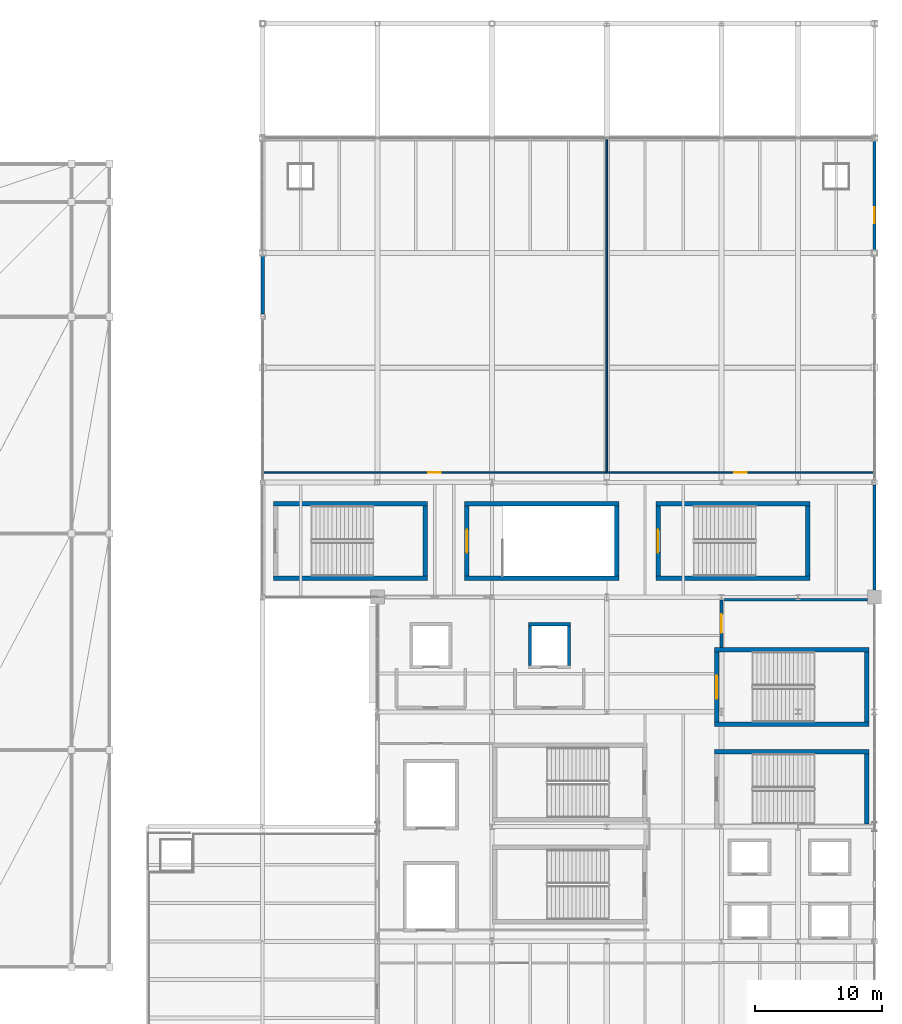
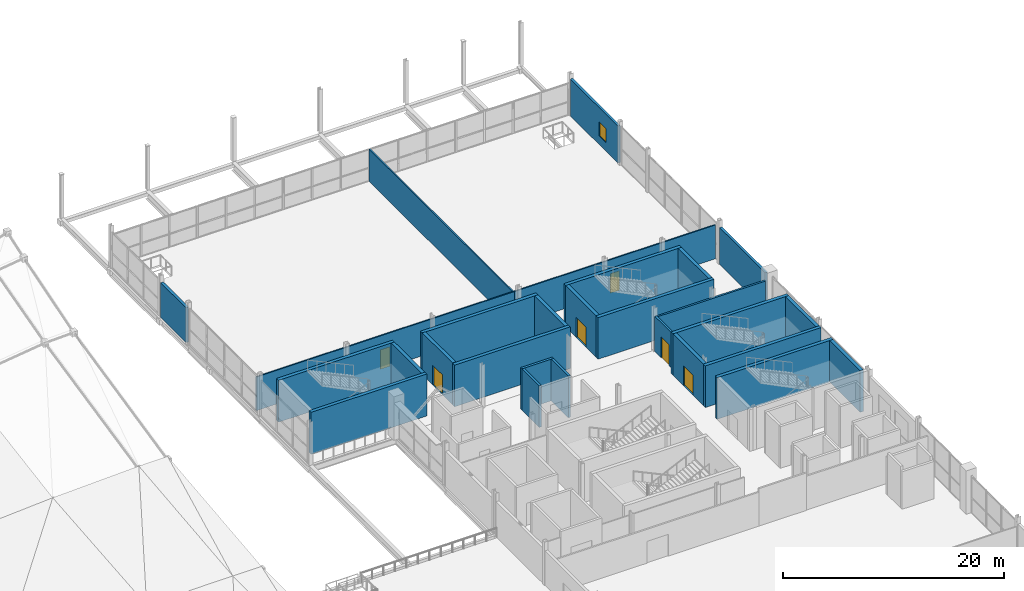
# One storey, part 53 of 69: 28 walls, 6 doors, 1 window, 7 openings.
"""IFC4 building model written with IfcOpenShell, lengths in metres."""

from ifc_helpers import new_model, si_unit, direction, frame, frame_2d, origin, place, context, subcontext, project, spatial, rectangle, extrude, material, layer, layer_set, type_object, element, fill, save


model = new_model("IFC4")

# Units and contexts
model_context = context("Model", 3, precision=1e-05, world=origin(), true_north=direction((0.0, 1.0)))
body_context = subcontext(model_context, "Body", "Model", "MODEL_VIEW")
ifc_project = project(units=[si_unit("LENGTHUNIT", "METRE"), si_unit("AREAUNIT", "SQUARE_METRE"), si_unit("VOLUMEUNIT", "CUBIC_METRE"), si_unit("PLANEANGLEUNIT", "RADIAN"), si_unit("MASSUNIT", "GRAM", prefix="KILO")], contexts=[model_context])

# Site, building, storey
site_placement = place(None, origin())
site = spatial("IfcSite", under=ifc_project, at=site_placement, CompositionType="ELEMENT")
building_placement = place(site_placement, origin())
building = spatial("IfcBuilding", under=site, at=building_placement, Name="Qamarlyn Nura Convention Centre", CompositionType="ELEMENT")
storey_placement = place(building_placement, frame((0.0, 0.0, 15.60009765625)))
storey = spatial("IfcBuildingStorey", under=building, at=storey_placement, Name="L03", CompositionType="ELEMENT", Elevation=15.60009765625)

# Walls
ifc_material_1 = material(Name="Concrete C50/60", Category="concrete")
ifc_layer_1 = layer(ifc_material_1, 0.35009765625, Name="WT-CORE-350")
ifc_layer_set_1 = layer_set([ifc_layer_1], Name="Concrete C50/60")
wall_type_1 = type_object("IfcWallType", Name="WT-CORE-350", PredefinedType="SHEAR", material=ifc_layer_set_1)
wall_1_placement = place(storey_placement, frame((191.550048828125, 68.875, 0.0), z_axis=(0.0, 0.0, 1.0), x_axis=(-1.0, 0.0, 0.0)))
element("IfcWall", 1, at=wall_1_placement, inside=storey, type_object=wall_type_1, Name="L03 stair core shear wall ST-13-N", PredefinedType="SHEAR", context=body_context, shape_type="SweptSolid", body=[
    extrude(rectangle(XDim=12.10009765625, YDim=0.35009765625, at=frame_2d((6.050048828125, 0.0))), origin(), (0.0, 0.0, 1.0), 4.599853515625),
])
wall_2_placement = place(storey_placement, frame((191.375, 63.199951171875, 0.0), z_axis=(0.0, 0.0, 1.0), x_axis=(0.0, 1.0, 0.0)))
element("IfcWall", 2, at=wall_2_placement, inside=storey, type_object=wall_type_1, Name="L03 stair core shear wall ST-13-E", PredefinedType="SHEAR", context=body_context, shape_type="SweptSolid", body=[
    extrude(rectangle(XDim=5.5, YDim=0.35009765625, at=frame_2d((2.75, 0.0))), origin(), (0.0, 0.0, 1.0), 4.599853515625),
])
for number, where, z_axis, x_axis, name in (
    (3, (179.449951171875, 71.02490234375, 0.0), (0.0, 0.0, 1.0), (1.0, 0.0, 0.0), "L03 stair core shear wall ST-14-S"),
    (4, (191.550048828125, 76.875, 0.0), (0.0, 0.0, 1.0), (-1.0, 0.0, 0.0), "L03 stair core shear wall ST-14-N"),
):
    element("IfcWall", number, at=place(storey_placement, frame(where, z_axis=z_axis, x_axis=x_axis)), inside=storey, type_object=wall_type_1, Name=name, PredefinedType="SHEAR", context=body_context, shape_type="SweptSolid", body=[
        extrude(rectangle(XDim=12.10009765625, YDim=0.35009765625, at=frame_2d((6.050048828125, 0.0))), origin(), (0.0, 0.0, 1.0), 4.599853515625),
    ])

# Wall, opening, door
wall_3_placement = place(storey_placement, frame((179.625, 76.699951171875, 0.0), z_axis=(0.0, 0.0, 1.0), x_axis=(0.0, -1.0, 0.0)))
wall_3 = element("IfcWall", 5, at=wall_3_placement, inside=storey, type_object=wall_type_1, Name="L03 stair core shear wall ST-14-W", PredefinedType="SHEAR", context=body_context, shape_type="SweptSolid", body=[
    extrude(rectangle(XDim=5.5, YDim=0.35009765625, at=frame_2d((2.75, 0.0))), origin(), (0.0, 0.0, 1.0), 4.599853515625),
])
opening_1_placement = place(wall_3_placement, frame((1.85009765625, 0.0, 0.0)))
opening_1 = element("IfcOpeningElement", 6, at=opening_1_placement, cuts=wall_3, Name="Opening DS-068", PredefinedType="OPENING", context=body_context, shape_type="SweptSolid", body=[
    extrude(rectangle(XDim=1.800048828125, YDim=2.199951171875, at=frame_2d((0.89990234375, 1.10009765625))), frame((0.0, 0.18505859375, 0.0), z_axis=(0.0, -1.0, 0.0), x_axis=(1.0, 0.0, 0.0)), (0.0, 0.0, 1.0), 0.3701171875),
])
ifc_material_2 = material(Name="Galvanised fire-rated hollow steel door", Category="steel")
door_type_1 = type_object("IfcDoorType", Name="DR-STAIR-1800", OperationType="DOUBLE_DOOR_SINGLE_SWING", PredefinedType="DOOR", material=ifc_material_2)
door_1_placement = place(opening_1_placement, origin())
door_1 = element("IfcDoor", 7, at=door_1_placement, inside=storey, type_object=door_type_1, Name="L03 exit stair door ST-14 (DS-068)", OperationType="DOUBLE_DOOR_SINGLE_SWING", OverallHeight=2.199951171875, OverallWidth=1.800048828125, PredefinedType="DOOR", context=body_context, shape_type="SweptSolid", body=[
    extrude(rectangle(XDim=1.800048828125, YDim=2.199951171875, at=frame_2d((0.89990234375, 1.10009765625))), frame((0.0, 0.02490234375, 0.0), z_axis=(0.0, -1.0, 0.0), x_axis=(1.0, 0.0, 0.0)), (0.0, 0.0, 1.0), 0.050048828125),
])
fill(opening_1, door_1)

# Walls
wall_4_placement = place(storey_placement, frame((191.375, 71.199951171875, 0.0), z_axis=(0.0, 0.0, 1.0), x_axis=(0.0, 1.0, 0.0)))
element("IfcWall", 8, at=wall_4_placement, inside=storey, type_object=wall_type_1, Name="L03 stair core shear wall ST-14-E", PredefinedType="SHEAR", context=body_context, shape_type="SweptSolid", body=[
    extrude(rectangle(XDim=5.5, YDim=0.35009765625, at=frame_2d((2.75, 0.0))), origin(), (0.0, 0.0, 1.0), 4.599853515625),
])
for number, where, z_axis, x_axis, name in (
    (9, (144.85009765625, 82.47509765625, 0.0), (0.0, 0.0, 1.0), (1.0, 0.0, 0.0), "L03 stair core shear wall ST-15-S"),
    (10, (156.949951171875, 88.324951171875, 0.0), (0.0, 0.0, 1.0), (-1.0, 0.0, 0.0), "L03 stair core shear wall ST-15-N"),
):
    element("IfcWall", number, at=place(storey_placement, frame(where, z_axis=z_axis, x_axis=x_axis)), inside=storey, type_object=wall_type_1, Name=name, PredefinedType="SHEAR", context=body_context, shape_type="SweptSolid", body=[
        extrude(rectangle(XDim=12.099853515625, YDim=0.35009765625, at=frame_2d((6.0498046875, 0.0))), origin(), (0.0, 0.0, 1.0), 4.635009765625),
    ])
wall_5_placement = place(storey_placement, frame((156.77490234375, 82.64990234375, 0.0), z_axis=(0.0, 0.0, 1.0), x_axis=(0.0, 1.0, 0.0)))
element("IfcWall", 11, at=wall_5_placement, inside=storey, type_object=wall_type_1, Name="L03 stair core shear wall ST-15-E", PredefinedType="SHEAR", context=body_context, shape_type="SweptSolid", body=[
    extrude(rectangle(XDim=5.5, YDim=0.35009765625, at=frame_2d((2.75, 0.0))), origin(), (0.0, 0.0, 1.0), 4.635009765625),
])
for number, where, z_axis, x_axis, name in (
    (12, (159.85009765625, 82.47509765625, 0.0), (0.0, 0.0, 1.0), (1.0, 0.0, 0.0), "L03 stair core shear wall ST-16-S"),
    (13, (171.949951171875, 88.324951171875, 0.0), (0.0, 0.0, 1.0), (-1.0, 0.0, 0.0), "L03 stair core shear wall ST-16-N"),
):
    element("IfcWall", number, at=place(storey_placement, frame(where, z_axis=z_axis, x_axis=x_axis)), inside=storey, type_object=wall_type_1, Name=name, PredefinedType="SHEAR", context=body_context, shape_type="SweptSolid", body=[
        extrude(rectangle(XDim=12.099853515625, YDim=0.35009765625, at=frame_2d((6.0498046875, 0.0))), origin(), (0.0, 0.0, 1.0), 4.599853515625),
    ])

# Wall, opening, door
wall_6_placement = place(storey_placement, frame((160.02490234375, 88.14990234375, 0.0), z_axis=(0.0, 0.0, 1.0), x_axis=(0.0, -1.0, 0.0)))
wall_6 = element("IfcWall", 14, at=wall_6_placement, inside=storey, type_object=wall_type_1, Name="L03 stair core shear wall ST-16-W", PredefinedType="SHEAR", context=body_context, shape_type="SweptSolid", body=[
    extrude(rectangle(XDim=5.5, YDim=0.35009765625, at=frame_2d((2.75, 0.0))), origin(), (0.0, 0.0, 1.0), 4.635009765625),
])
opening_2_placement = place(wall_6_placement, frame((1.85009765625, 0.0, 0.0)))
opening_2 = element("IfcOpeningElement", 15, at=opening_2_placement, cuts=wall_6, Name="Opening DS-081", PredefinedType="OPENING", context=body_context, shape_type="SweptSolid", body=[
    extrude(rectangle(XDim=1.800048828125, YDim=2.199951171875, at=frame_2d((0.89990234375, 1.10009765625))), frame((0.0, 0.18505859375, 0.0), z_axis=(0.0, -1.0, 0.0), x_axis=(1.0, 0.0, 0.0)), (0.0, 0.0, 1.0), 0.3701171875),
])
door_2_placement = place(opening_2_placement, origin())
door_2 = element("IfcDoor", 16, at=door_2_placement, inside=storey, type_object=door_type_1, Name="L03 exit stair door ST-16 (DS-081)", OperationType="DOUBLE_DOOR_SINGLE_SWING", OverallHeight=2.199951171875, OverallWidth=1.800048828125, PredefinedType="DOOR", context=body_context, shape_type="SweptSolid", body=[
    extrude(rectangle(XDim=1.800048828125, YDim=2.199951171875, at=frame_2d((0.89990234375, 1.10009765625))), frame((0.0, 0.02490234375, 0.0), z_axis=(0.0, -1.0, 0.0), x_axis=(1.0, 0.0, 0.0)), (0.0, 0.0, 1.0), 0.050048828125),
])
fill(opening_2, door_2)

# Walls
wall_7_placement = place(storey_placement, frame((171.77490234375, 82.64990234375, 0.0), z_axis=(0.0, 0.0, 1.0), x_axis=(0.0, 1.0, 0.0)))
element("IfcWall", 17, at=wall_7_placement, inside=storey, type_object=wall_type_1, Name="L03 stair core shear wall ST-16-E", PredefinedType="SHEAR", context=body_context, shape_type="SweptSolid", body=[
    extrude(rectangle(XDim=5.5, YDim=0.35009765625, at=frame_2d((2.75, 0.0))), origin(), (0.0, 0.0, 1.0), 4.599853515625),
])
for number, where, z_axis, x_axis, name in (
    (18, (174.85009765625, 82.47509765625, 0.0), (0.0, 0.0, 1.0), (1.0, 0.0, 0.0), "L03 stair core shear wall ST-17-S"),
    (19, (186.949951171875, 88.324951171875, 0.0), (0.0, 0.0, 1.0), (-1.0, 0.0, 0.0), "L03 stair core shear wall ST-17-N"),
):
    element("IfcWall", number, at=place(storey_placement, frame(where, z_axis=z_axis, x_axis=x_axis)), inside=storey, type_object=wall_type_1, Name=name, PredefinedType="SHEAR", context=body_context, shape_type="SweptSolid", body=[
        extrude(rectangle(XDim=12.099853515625, YDim=0.35009765625, at=frame_2d((6.0498046875, 0.0))), origin(), (0.0, 0.0, 1.0), 4.599853515625),
    ])

# Wall, opening, door
wall_8_placement = place(storey_placement, frame((175.02490234375, 88.14990234375, 0.0), z_axis=(0.0, 0.0, 1.0), x_axis=(0.0, -1.0, 0.0)))
wall_8 = element("IfcWall", 20, at=wall_8_placement, inside=storey, type_object=wall_type_1, Name="L03 stair core shear wall ST-17-W", PredefinedType="SHEAR", context=body_context, shape_type="SweptSolid", body=[
    extrude(rectangle(XDim=5.5, YDim=0.35009765625, at=frame_2d((2.75, 0.0))), origin(), (0.0, 0.0, 1.0), 4.599853515625),
])
opening_3_placement = place(wall_8_placement, frame((1.85009765625, 0.0, 0.0)))
opening_3 = element("IfcOpeningElement", 21, at=opening_3_placement, cuts=wall_8, Name="Opening DS-086", PredefinedType="OPENING", context=body_context, shape_type="SweptSolid", body=[
    extrude(rectangle(XDim=1.800048828125, YDim=2.199951171875, at=frame_2d((0.89990234375, 1.10009765625))), frame((0.0, 0.18505859375, 0.0), z_axis=(0.0, -1.0, 0.0), x_axis=(1.0, 0.0, 0.0)), (0.0, 0.0, 1.0), 0.3701171875),
])
door_3_placement = place(opening_3_placement, origin())
door_3 = element("IfcDoor", 22, at=door_3_placement, inside=storey, type_object=door_type_1, Name="L03 exit stair door ST-17 (DS-086)", OperationType="DOUBLE_DOOR_SINGLE_SWING", OverallHeight=2.199951171875, OverallWidth=1.800048828125, PredefinedType="DOOR", context=body_context, shape_type="SweptSolid", body=[
    extrude(rectangle(XDim=1.800048828125, YDim=2.199951171875, at=frame_2d((0.89990234375, 1.10009765625))), frame((0.0, 0.02490234375, 0.0), z_axis=(0.0, -1.0, 0.0), x_axis=(1.0, 0.0, 0.0)), (0.0, 0.0, 1.0), 0.050048828125),
])
fill(opening_3, door_3)

# Walls
wall_9_placement = place(storey_placement, frame((186.77490234375, 82.64990234375, 0.0), z_axis=(0.0, 0.0, 1.0), x_axis=(0.0, 1.0, 0.0)))
element("IfcWall", 23, at=wall_9_placement, inside=storey, type_object=wall_type_1, Name="L03 stair core shear wall ST-17-E", PredefinedType="SHEAR", context=body_context, shape_type="SweptSolid", body=[
    extrude(rectangle(XDim=5.5, YDim=0.35009765625, at=frame_2d((2.75, 0.0))), origin(), (0.0, 0.0, 1.0), 4.599853515625),
])
ifc_material_3 = material(Name="Concrete C40/50", Category="concrete")
ifc_layer_2 = layer(ifc_material_3, 0.260009765625, Name="WT-EXT-260")
ifc_layer_set_2 = layer_set([ifc_layer_2], Name="Concrete C40/50")
wall_type_2 = type_object("IfcWallType", Name="WT-EXT-260", PredefinedType="SOLIDWALL", material=ifc_layer_set_2)
wall_10_placement = place(storey_placement, frame((192.0, 89.800048828125, 0.0), z_axis=(0.0, 0.0, 1.0), x_axis=(0.0, -1.0, 0.0)))
element("IfcWall", 24, at=wall_10_placement, inside=storey, type_object=wall_type_2, Name="L03 exterior facade wall WEXT-L03-1920-898-1920-816", PredefinedType="SOLIDWALL", context=body_context, shape_type="SweptSolid", body=[
    extrude(rectangle(XDim=8.25, YDim=0.260009765625, at=frame_2d((4.125, 0.0))), origin(), (0.0, 0.0, 1.0), 4.0458984375),
])

# Wall, opening, window
wall_11_placement = place(storey_placement, frame((192.0, 116.803466796875, 0.0), z_axis=(0.0, 0.0, 1.0), x_axis=(0.0, -1.0, 0.0)))
wall_11 = element("IfcWall", 25, at=wall_11_placement, inside=storey, type_object=wall_type_2, Name="L03 exterior facade wall WEXT-L03-1920-1168-1920-1082", PredefinedType="SOLIDWALL", context=body_context, shape_type="SweptSolid", body=[
    extrude(rectangle(XDim=8.603515625, YDim=0.260009765625, at=frame_2d((4.3017578125, 0.0))), origin(), (0.0, 0.0, 1.0), 4.0859375),
])
opening_4_placement = place(wall_11_placement, frame((5.2275390625, 0.0, 0.949951171875)))
opening_4 = element("IfcOpeningElement", 26, at=opening_4_placement, cuts=wall_11, Name="Opening WN23", PredefinedType="OPENING", context=body_context, shape_type="SweptSolid", body=[
    extrude(rectangle(XDim=1.25, YDim=1.550048828125, at=frame_2d((0.625, 0.77490234375))), frame((0.0, 0.14013671875, 0.0), z_axis=(0.0, -1.0, 0.0), x_axis=(1.0, 0.0, 0.0)), (0.0, 0.0, 1.0), 0.280029296875),
])
ifc_material_4 = material(Name="Double-silver low-E insulated glass", Category="glass")
window_type = type_object("IfcWindowType", Name="WIN-SOL-23", PartitioningType="SINGLE_PANEL", PredefinedType="WINDOW", material=ifc_material_4)
window_placement = place(opening_4_placement, origin())
window = element("IfcWindow", 27, at=window_placement, inside=storey, type_object=window_type, Name="L03 solar-control window 047", OverallHeight=1.550048828125, OverallWidth=1.25, PartitioningType="SINGLE_PANEL", PredefinedType="WINDOW", context=body_context, shape_type="SweptSolid", body=[
    extrude(rectangle(XDim=1.25, YDim=1.550048828125, at=frame_2d((0.625, 0.77490234375))), frame((0.0, 0.030029296875, 0.0), z_axis=(0.0, -1.0, 0.0), x_axis=(1.0, 0.0, 0.0)), (0.0, 0.0, 1.0), 0.06005859375),
])
fill(opening_4, window)

# Wall
ifc_layer_3 = layer(ifc_material_3, 0.280029296875, Name="WT-EXT-280")
ifc_layer_set_3 = layer_set([ifc_layer_3], Name="Concrete C40/50")
wall_type_3 = type_object("IfcWallType", Name="WT-EXT-280", PredefinedType="SOLIDWALL", material=ifc_layer_set_3)
wall_12_placement = place(storey_placement, frame((144.0, 103.199951171875, 0.0), z_axis=(0.0, 0.0, 1.0), x_axis=(0.0, 1.0, 0.0)))
element("IfcWall", 28, at=wall_12_placement, inside=storey, type_object=wall_type_3, Name="L03 exterior facade wall WEXT-L03-1440-1032-1440-1078", PredefinedType="SOLIDWALL", context=body_context, shape_type="SweptSolid", body=[
    extrude(rectangle(XDim=4.603515625, YDim=0.280029296875, at=frame_2d((2.3017578125, 0.0))), origin(), (0.0, 0.0, 1.0), 3.851806640625),
])

# Wall, opening, door
ifc_material_5 = material(Name="Acoustic double-stud gypsum partition")
ifc_layer_4 = layer(ifc_material_5, 0.135009765625, Name="WT-PART-135")
ifc_layer_set_4 = layer_set([ifc_layer_4], Name="Acoustic double-stud gypsum partition")
wall_type_4 = type_object("IfcWallType", Name="WT-PART-135", PredefinedType="PARTITIONING", material=ifc_layer_set_4)
wall_13_placement = place(storey_placement, frame((191.988037109375, 90.7900390625, 0.0), z_axis=(0.0, 0.0, 1.0), x_axis=(-1.0, 0.0, 0.0)))
wall_13 = element("IfcWall", 29, at=wall_13_placement, inside=storey, type_object=wall_type_4, Name="L03 interior partition L03-CNF-N304-3-1", PredefinedType="PARTITIONING", context=body_context, shape_type="SweptSolid", body=[
    extrude(rectangle(XDim=20.988037109375, YDim=0.135009765625, at=frame_2d((10.494140625, 0.0))), origin(), (0.0, 0.0, 1.0), 3.72998046875),
])
opening_5_placement = place(wall_13_placement, frame((10.013916015625, 0.0, 0.0)))
opening_5 = element("IfcOpeningElement", 30, at=opening_5_placement, cuts=wall_13, Name="Opening D-L03-201", PredefinedType="OPENING", context=body_context, shape_type="SweptSolid", body=[
    extrude(rectangle(XDim=0.9599609375, YDim=2.14990234375, at=frame_2d((0.47998046875, 1.074951171875))), frame((0.0, 0.07763671875, 0.0), z_axis=(0.0, -1.0, 0.0), x_axis=(1.0, 0.0, 0.0)), (0.0, 0.0, 1.0), 0.155029296875),
])
ifc_material_6 = material(Name="Acoustic walnut timber leaf", Category="wood")
door_type_2 = type_object("IfcDoorType", Name="DR-ROOM-0960", OperationType="NOTDEFINED", PredefinedType="DOOR", material=ifc_material_6)
door_4_placement = place(opening_5_placement, origin())
door_4 = element("IfcDoor", 31, at=door_4_placement, inside=storey, type_object=door_type_2, Name="L03 North Congress Meeting Suite 304 door D-L03-201", OperationType="SINGLE_SWING_RIGHT", OverallHeight=2.14990234375, OverallWidth=0.9599609375, PredefinedType="DOOR", context=body_context, shape_type="SweptSolid", body=[
    extrude(rectangle(XDim=0.9599609375, YDim=2.14990234375, at=frame_2d((0.47998046875, 1.074951171875))), frame((0.0, 0.02490234375, 0.0), z_axis=(0.0, -1.0, 0.0), x_axis=(1.0, 0.0, 0.0)), (0.0, 0.0, 1.0), 0.050048828125),
])
fill(opening_5, door_4)

# Wall
wall_14_placement = place(storey_placement, frame((171.0, 90.7900390625, 0.0), z_axis=(0.0, 0.0, 1.0), x_axis=(0.0, 1.0, 0.0)))
element("IfcWall", 32, at=wall_14_placement, inside=storey, type_object=wall_type_4, Name="L03 interior partition L03-CNF-N304-4-1", PredefinedType="PARTITIONING", context=body_context, shape_type="SweptSolid", body=[
    extrude(rectangle(XDim=26.197998046875, YDim=0.135009765625, at=frame_2d((13.09912109375, 0.0))), origin(), (0.0, 0.0, 1.0), 3.5634765625),
])

# Wall, opening, door
wall_15_placement = place(storey_placement, frame((170.9599609375, 90.7900390625, 0.0), z_axis=(0.0, 0.0, 1.0), x_axis=(-1.0, 0.0, 0.0)))
wall_15 = element("IfcWall", 33, at=wall_15_placement, inside=storey, type_object=wall_type_4, Name="L03 interior partition L03-OFF-ORG1-3-1", PredefinedType="PARTITIONING", context=body_context, shape_type="SweptSolid", body=[
    extrude(rectangle(XDim=26.947998046875, YDim=0.135009765625, at=frame_2d((13.47412109375, 0.0))), origin(), (0.0, 0.0, 1.0), 3.72998046875),
])
opening_6_placement = place(wall_15_placement, frame((12.98388671875, 0.0, 0.0)))
opening_6 = element("IfcOpeningElement", 34, at=opening_6_placement, cuts=wall_15, Name="Opening D-L03-203", PredefinedType="OPENING", context=body_context, shape_type="SweptSolid", body=[
    extrude(rectangle(XDim=0.97998046875, YDim=2.14990234375, at=frame_2d((0.489990234375, 1.074951171875))), frame((0.0, 0.07763671875, 0.0), z_axis=(0.0, -1.0, 0.0), x_axis=(1.0, 0.0, 0.0)), (0.0, 0.0, 1.0), 0.155029296875),
])
door_type_3 = type_object("IfcDoorType", Name="DR-ROOM-0980", OperationType="NOTDEFINED", PredefinedType="DOOR", material=ifc_material_6)
door_5_placement = place(opening_6_placement, origin())
door_5 = element("IfcDoor", 35, at=door_5_placement, inside=storey, type_object=door_type_3, Name="L03 Event Organiser Office Suite door D-L03-203", OperationType="SINGLE_SWING_LEFT", OverallHeight=2.14990234375, OverallWidth=0.97998046875, PredefinedType="DOOR", context=body_context, shape_type="SweptSolid", body=[
    extrude(rectangle(XDim=0.97998046875, YDim=2.14990234375, at=frame_2d((0.489990234375, 1.074951171875))), frame((0.0, 0.02490234375, 0.0), z_axis=(0.0, -1.0, 0.0), x_axis=(1.0, 0.0, 0.0)), (0.0, 0.0, 1.0), 0.050048828125),
])
fill(opening_6, door_5)

# Wall
ifc_material_7 = material(Name="Fire-rated acoustic gypsum board EI 60")
ifc_layer_5 = layer(ifc_material_7, 0.199951171875, Name="WT-PART-200")
ifc_layer_set_5 = layer_set([ifc_layer_5], Name="Fire-rated acoustic gypsum board EI 60")
wall_type_5 = type_object("IfcWallType", Name="WT-PART-200", PredefinedType="PARTITIONING", material=ifc_layer_set_5)
wall_16_placement = place(storey_placement, frame((180.2099609375, 80.800048828125, 0.0), z_axis=(0.0, 0.0, 1.0), x_axis=(1.0, 0.0, 0.0)))
element("IfcWall", 36, at=wall_16_placement, inside=storey, type_object=wall_type_5, Name="L03 interior partition L03-KIT-RST3-1-1", PredefinedType="PARTITIONING", context=body_context, shape_type="SweptSolid", body=[
    extrude(rectangle(XDim=11.22998046875, YDim=0.199951171875, at=frame_2d((5.614990234375, 0.0))), origin(), (0.0, 0.0, 1.0), 3.81201171875),
])

# Wall, opening, door
wall_17_placement = place(storey_placement, frame((180.0, 77.050048828125, 0.0), z_axis=(0.0, 0.0, 1.0), x_axis=(0.0, 1.0, 0.0)))
wall_17 = element("IfcWall", 37, at=wall_17_placement, inside=storey, type_object=wall_type_5, Name="L03 interior partition L03-KIT-RST3-4-1", PredefinedType="PARTITIONING", context=body_context, shape_type="SweptSolid", body=[
    extrude(rectangle(XDim=3.739990234375, YDim=0.199951171875, at=frame_2d((1.8701171875, 0.0))), origin(), (0.0, 0.0, 1.0), 3.90087890625),
])
opening_7_placement = place(wall_17_placement, frame((1.14501953125, 0.0, 0.0)))
opening_7 = element("IfcOpeningElement", 38, at=opening_7_placement, cuts=wall_17, Name="Opening D-L03-194", PredefinedType="OPENING", context=body_context, shape_type="SweptSolid", body=[
    extrude(rectangle(XDim=1.449951171875, YDim=2.300048828125, at=frame_2d((0.72509765625, 1.14990234375))), frame((0.0, 0.10986328125, 0.0), z_axis=(0.0, -1.0, 0.0), x_axis=(1.0, 0.0, 0.0)), (0.0, 0.0, 1.0), 0.219970703125),
])
door_type_4 = type_object("IfcDoorType", Name="DR-CONF-1450", OperationType="DOUBLE_DOOR_SINGLE_SWING", PredefinedType="DOOR", material=ifc_material_6)
door_6_placement = place(opening_7_placement, origin())
door_6 = element("IfcDoor", 39, at=door_6_placement, inside=storey, type_object=door_type_4, Name="L03 Restaurant Kitchen L03 door D-L03-194", OperationType="DOUBLE_DOOR_SINGLE_SWING", OverallHeight=2.300048828125, OverallWidth=1.449951171875, PredefinedType="DOOR", context=body_context, shape_type="SweptSolid", body=[
    extrude(rectangle(XDim=1.449951171875, YDim=2.300048828125, at=frame_2d((0.72509765625, 1.14990234375))), frame((0.0, 0.02490234375, 0.0), z_axis=(0.0, -1.0, 0.0), x_axis=(1.0, 0.0, 0.0)), (0.0, 0.0, 1.0), 0.050048828125),
])
fill(opening_7, door_6)

# Walls
ifc_material_8 = material(Name="Fire-rated acoustic gypsum board and mineral wool EI 120")
ifc_layer_6 = layer(ifc_material_8, 0.25, Name="WT-SHAFT-250")
ifc_layer_set_6 = layer_set([ifc_layer_6], Name="Fire-rated acoustic gypsum board and mineral wool EI 120")
wall_type_6 = type_object("IfcWallType", Name="WT-SHAFT-250", PredefinedType="SOLIDWALL", material=ifc_layer_set_6)
wall_18_placement = place(storey_placement, frame((168.14990234375, 78.875, 0.0), z_axis=(0.0, 0.0, 1.0), x_axis=(-1.0, 0.0, 0.0)))
element("IfcWall", 40, at=wall_18_placement, inside=storey, type_object=wall_type_6, Name="L03 lift shaft enclosure wall FFL-04 +y", PredefinedType="SOLIDWALL", context=body_context, shape_type="SweptSolid", body=[
    extrude(rectangle(XDim=3.2998046875, YDim=0.25, at=frame_2d((1.64990234375, 0.0))), origin(), (0.0, 0.0, 1.0), 4.599853515625),
])
for number, where, z_axis, x_axis, name in (
    (41, (164.97509765625, 78.75, 0.0), (0.0, 0.0, 1.0), (0.0, -1.0, 0.0), "L03 lift shaft enclosure wall FFL-04 -x"),
    (42, (168.02490234375, 75.64990234375, 0.0), (0.0, 0.0, 1.0), (0.0, 1.0, 0.0), "L03 lift shaft enclosure wall FFL-04 +x"),
):
    element("IfcWall", number, at=place(storey_placement, frame(where, z_axis=z_axis, x_axis=x_axis)), inside=storey, type_object=wall_type_6, Name=name, PredefinedType="SOLIDWALL", context=body_context, shape_type="SweptSolid", body=[
        extrude(rectangle(XDim=3.10009765625, YDim=0.25, at=frame_2d((1.550048828125, 0.0))), origin(), (0.0, 0.0, 1.0), 4.599853515625),
    ])

save(model, "model.ifc")
